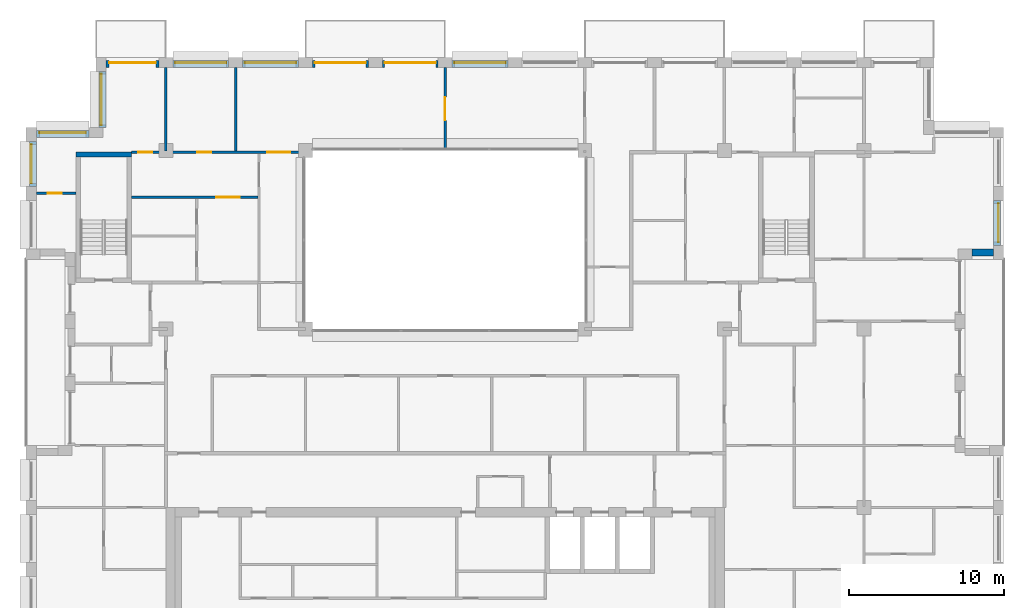
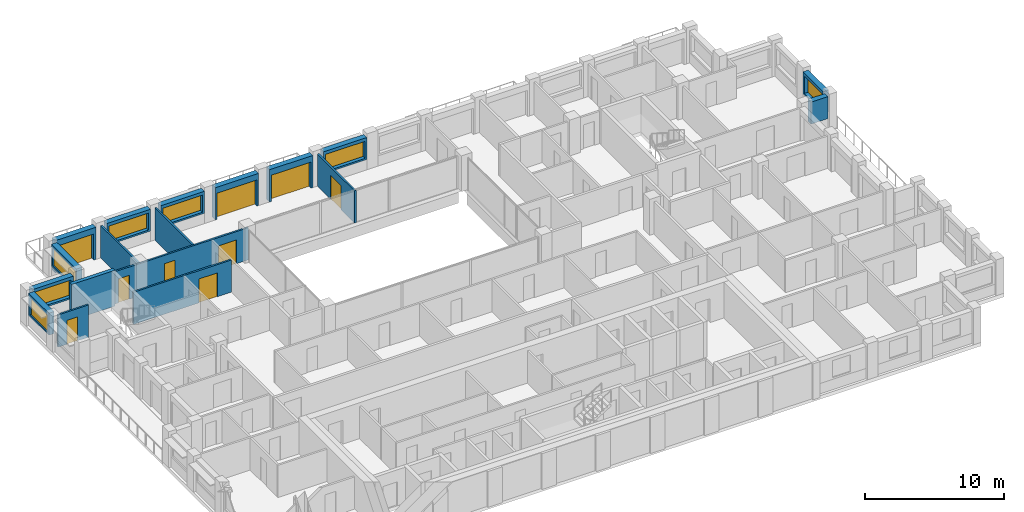
# One storey, part 13 of 16: 18 walls, 9 doors, 7 windows, 16 openings.
"""IFC4 building model written with IfcOpenShell, lengths in metres."""

import ifcopenshell
import ifcopenshell.guid

model = None  # the IFC model being written
_history = None  # IfcOwnerHistory: only IFC2X3 demands one
_inside = {}  # id of a spatial element -> (the spatial element, [elements in it])
_under = {}  # id of a project, library or spatial element -> (it, [spatial elements below it])
_declared = {}  # id of a project -> (the project, [libraries it declares])
_typed = {}  # id of a type object -> (the type object, [elements of that type])
_made_of = {}  # id of a material, layer set ... -> (it, [elements and type objects made of it])


def new_model(schema):
    """Start an empty IFC model of exactly this schema.

    Asked for "IFC4X3", IfcOpenShell would pick the latest addendum, in which some entities
    have other attributes; the version numbers below select the first issue.
    IFC2X3 requires an IfcOwnerHistory on every rooted entity: one is made here for all.
    """
    global model, _history
    if schema == "IFC4X3":
        model = ifcopenshell.file(schema_version=(4, 3, 0, 0))
    else:
        model = ifcopenshell.file(schema=schema)
    _inside.clear()
    _under.clear()
    _declared.clear()
    _typed.clear()
    _made_of.clear()
    _history = None
    if model.schema == "IFC2X3":
        org = make("IfcOrganization", Name="unknown")
        user = make(
            "IfcPersonAndOrganization",
            ThePerson=make("IfcPerson", FamilyName="unknown"),
            TheOrganization=org,
        )
        app = make(
            "IfcApplication",
            ApplicationDeveloper=org,
            Version="unknown",
            ApplicationFullName="unknown",
            ApplicationIdentifier="unknown",
        )
        _history = make(
            "IfcOwnerHistory",
            OwningUser=user,
            OwningApplication=app,
            ChangeAction="ADDED",
            CreationDate=0,
        )
    return model


def make(cls, **values):
    """One entity of the class cls with the attributes given. An attribute that is None is left unset."""
    return model.create_entity(
        cls, **{name: value for name, value in values.items() if value is not None}
    )


def rooted(cls, **values):
    """An entity with a GlobalId (a new one), such as an element, a storey or a relation."""
    return make(cls, GlobalId=ifcopenshell.guid.new(), OwnerHistory=_history, **values)


def si_unit(unit_type, name, prefix=None):
    """IfcSIUnit, for example si_unit("LENGTHUNIT", "METRE", prefix="MILLI")."""
    return make("IfcSIUnit", UnitType=unit_type, Prefix=prefix, Name=name)


def assignment(units):
    """IfcUnitAssignment: the units of a project."""
    return None if units is None else make("IfcUnitAssignment", Units=units)


def point(xyz):
    """IfcCartesianPoint."""
    return None if xyz is None else make("IfcCartesianPoint", Coordinates=xyz)


def direction(xyz):
    """IfcDirection."""
    return None if xyz is None else make("IfcDirection", DirectionRatios=xyz)


def frame(location, z_axis=None, x_axis=None):
    """IfcAxis2Placement3D, a coordinate frame: its origin and axes. An axis left out is left unset."""
    return make(
        "IfcAxis2Placement3D",
        Location=point(location),
        Axis=direction(z_axis),
        RefDirection=direction(x_axis),
    )


def frame_2d(location, x_axis=None):
    """IfcAxis2Placement2D, a coordinate frame in the plane: its origin and x axis."""
    return make(
        "IfcAxis2Placement2D", Location=point(location), RefDirection=direction(x_axis)
    )


def origin():
    """The frame at (0, 0, 0) with its axes left unset."""
    return frame((0.0, 0.0, 0.0))


def place(relative_to, where):
    """IfcLocalPlacement: puts the frame where relative to a parent placement (None: the world)."""
    return make(
        "IfcLocalPlacement", PlacementRelTo=relative_to, RelativePlacement=where
    )


def context(
    kind, dimensions, precision=None, world=None, true_north=None, identifier=None
):
    """IfcGeometricRepresentationContext, for example the 3D "Model" context."""
    return make(
        "IfcGeometricRepresentationContext",
        ContextIdentifier=identifier,
        ContextType=kind,
        CoordinateSpaceDimension=dimensions,
        Precision=precision,
        WorldCoordinateSystem=world,
        TrueNorth=true_north,
    )


def subcontext(parent, identifier, kind, view, scale=None):
    """IfcGeometricRepresentationSubContext, for example "Body" below "Model"."""
    return make(
        "IfcGeometricRepresentationSubContext",
        ContextIdentifier=identifier,
        ContextType=kind,
        ParentContext=parent,
        TargetScale=scale,
        TargetView=view,
    )


def project(units=None, contexts=None):
    """IfcProject with its units and contexts."""
    return rooted(
        "IfcProject",
        Name="project",
        RepresentationContexts=contexts,
        UnitsInContext=assignment(units),
    )


def spatial(cls, under=None, at=None, **own):
    """A site, building, storey or space (cls), placed at a placement, below another one or the project."""
    s = rooted(cls, ObjectPlacement=at, **own)
    if under is not None:
        _under.setdefault(under.id(), (under, []))[1].append(s)
    return s


def profile(cls, at=None, kind="AREA", **sizes):
    """A parametric profile (cls). Its sizes go by their IFC names, for example OverallWidth=200.0."""
    return make(cls, ProfileType=kind, Position=at, **sizes)


def rectangle(**sizes):
    """IfcRectangleProfileDef."""
    return profile("IfcRectangleProfileDef", **sizes)


def extrude(swept, where, along, depth):
    """IfcExtrudedAreaSolid: the profile swept, set in the frame where, extruded along a direction by depth."""
    return make(
        "IfcExtrudedAreaSolid",
        SweptArea=swept,
        Position=where,
        ExtrudedDirection=direction(along),
        Depth=depth,
    )


def shape(context_of_items, identifier, shape_type, items):
    """IfcShapeRepresentation: the items that make up one representation, for example the "Body"."""
    return make(
        "IfcShapeRepresentation",
        ContextOfItems=context_of_items,
        RepresentationIdentifier=identifier,
        RepresentationType=shape_type,
        Items=items,
    )


def material(Name=None, Category=None):
    """IfcMaterial."""
    return make("IfcMaterial", Name=Name, Category=Category)


def layer(
    of_material, thickness, ventilated=None, Name=None, Category=None, Priority=None
):
    """IfcMaterialLayer: one layer of a wall or slab, of a material (None: an air gap)."""
    return make(
        "IfcMaterialLayer",
        Material=of_material,
        LayerThickness=thickness,
        IsVentilated=ventilated,
        Name=Name,
        Category=Category,
        Priority=Priority,
    )


def layer_set(layers, Name=None):
    """IfcMaterialLayerSet."""
    return make("IfcMaterialLayerSet", MaterialLayers=layers, LayerSetName=Name)


def made_of(thing, what):
    """Note that an element or type object is made of a material, layer set ...; save() writes the relation."""
    if what is not None:
        _made_of.setdefault(what.id(), (what, []))[1].append(thing)
    return thing


def type_object(cls, material=None, **own):
    """A type object (cls), such as IfcWallType, which elements share."""
    return made_of(rooted(cls, **own), material)


def element(
    cls,
    number,
    at=None,
    inside=None,
    cuts=None,
    type_object=None,
    material=None,
    context=None,
    identifier="Body",
    shape_type=None,
    held_by="IfcProductDefinitionShape",
    body=None,
    shapes=None,
    **own,
):
    """One element of the class cls, such as IfcWall. Its Tag is "e" and its number.

    at: its placement. inside: the storey or other place that contains it. cuts: it is an
    opening in that element (IfcRelVoidsElement). A single representation is given by context,
    identifier, shape_type and body (its items); several are given by shapes. held_by: the class
    of the entity that holds the representations. save() writes the other relations.
    """
    e = rooted(cls, Tag="e%d" % number, ObjectPlacement=at, **own)
    if body is not None:
        shapes = [shape(context, identifier, shape_type, body)]
    if shapes is not None:
        e.Representation = make(held_by, Representations=shapes)
    if inside is not None:
        _inside.setdefault(inside.id(), (inside, []))[1].append(e)
    if cuts is not None:
        rooted(
            "IfcRelVoidsElement", RelatingBuildingElement=cuts, RelatedOpeningElement=e
        )
    if type_object is not None:
        _typed.setdefault(type_object.id(), (type_object, []))[1].append(e)
    return made_of(e, material)


def fill(opening, filler):
    """IfcRelFillsElement: the door or window that sits in an opening."""
    return rooted(
        "IfcRelFillsElement",
        RelatingOpeningElement=opening,
        RelatedBuildingElement=filler,
    )


def aggregate(whole, parts):
    """IfcRelAggregates: a whole, such as a stair, and the parts it consists of."""
    return rooted("IfcRelAggregates", RelatingObject=whole, RelatedObjects=parts)


def save(model, path):
    """Write the relations noted so far, then the file.

    IfcRelAggregates (storeys below a building ...), IfcRelContainedInSpatialStructure (elements
    in a storey), IfcRelDefinesByType, IfcRelAssociatesMaterial and IfcRelDeclares: one each for
    every whole, place, type object, material and project.
    """
    for whole, parts in _under.values():
        aggregate(whole, parts)
    for where, things in _inside.values():
        rooted(
            "IfcRelContainedInSpatialStructure",
            RelatedElements=things,
            RelatingStructure=where,
        )
    for kind, things in _typed.values():
        rooted("IfcRelDefinesByType", RelatedObjects=things, RelatingType=kind)
    for what, things in _made_of.values():
        rooted("IfcRelAssociatesMaterial", RelatedObjects=things, RelatingMaterial=what)
    for by, libraries in _declared.values():
        rooted("IfcRelDeclares", RelatingContext=by, RelatedDefinitions=libraries)
    model.write(path)


model = new_model("IFC4")

# Units and contexts
model_context = context("Model", 3, precision=1e-05, world=origin(), true_north=direction((0.0, 1.0)))
body_context = subcontext(model_context, "Body", "Model", "MODEL_VIEW")
ifc_project = project(units=[si_unit("LENGTHUNIT", "METRE"), si_unit("AREAUNIT", "SQUARE_METRE"), si_unit("VOLUMEUNIT", "CUBIC_METRE"), si_unit("PLANEANGLEUNIT", "RADIAN"), si_unit("MASSUNIT", "GRAM", prefix="KILO")], contexts=[model_context])

# Site, building, storey
site_placement = place(None, origin())
site = spatial("IfcSite", under=ifc_project, at=site_placement, CompositionType="ELEMENT")
building_placement = place(site_placement, origin())
building = spatial("IfcBuilding", under=site, at=building_placement, Name="Brigalow Station Residences", CompositionType="ELEMENT")
storey_placement = place(building_placement, frame((0.0, 0.0, 204.300048828125)))
storey = spatial("IfcBuildingStorey", under=building, at=storey_placement, Name="L58", CompositionType="ELEMENT", Elevation=204.300048828125)

# Wall
ifc_material_1 = material(Name="Clay brick masonry", Category="masonry")
ifc_layer_1 = layer(ifc_material_1, 0.449951171875)
ifc_layer_set_1 = layer_set([ifc_layer_1], Name="BRICK INFILL WALL 450")
wall_type_1 = type_object("IfcWallType", Name="BRICK INFILL WALL 450", PredefinedType="SOLIDWALL", material=ifc_layer_set_1)
wall_1_placement = place(storey_placement, frame((69.949951171875, 28.925048828125, 0.89990234375), z_axis=(0.0, 0.0, 1.0), x_axis=(1.0, 0.0, 0.0)))
element("IfcWall", 1, at=wall_1_placement, inside=storey, type_object=wall_type_1, Name="L58/ewall/W-L58-15", PredefinedType="SOLIDWALL", context=body_context, shape_type="SweptSolid", body=[
    extrude(rectangle(XDim=1.400146484375, YDim=0.449951171875, at=frame_2d((0.7001953125, 0.0))), origin(), (0.0, 0.0, 1.0), 1.929931640625),
])

# Wall, opening, window
wall_2_placement = place(storey_placement, frame((71.574951171875, 29.39990234375, 0.89990234375), z_axis=(0.0, 0.0, 1.0), x_axis=(0.0, 1.0, 0.0)))
wall_2 = element("IfcWall", 2, at=wall_2_placement, inside=storey, type_object=wall_type_1, Name="L58/ewall/W-L58-16", PredefinedType="SOLIDWALL", context=body_context, shape_type="SweptSolid", body=[
    extrude(rectangle(XDim=2.900146484375, YDim=0.449951171875, at=frame_2d((1.4501953125, 0.0))), origin(), (0.0, 0.0, 1.0), 1.929931640625),
])
opening_1_placement = place(wall_2_placement, frame((0.199951171875, 0.0, 0.14990234375)))
opening_1 = element("IfcOpeningElement", 3, at=opening_1_placement, cuts=wall_2, Name="Opening WT-5", PredefinedType="OPENING", context=body_context, shape_type="SweptSolid", body=[
    extrude(rectangle(XDim=2.5, YDim=1.5, at=frame_2d((1.25, 0.75))), frame((0.0, 0.23486328125, 0.0), z_axis=(0.0, -1.0, 0.0), x_axis=(1.0, 0.0, 0.0)), (0.0, 0.0, 1.0), 0.469970703125),
])
ifc_material_2 = material(Name="Anodised aluminium frame with double glazing", Category="aluminium")
window_type_1 = type_object("IfcWindowType", Name="WINDOW 2500x1500", PartitioningType="SINGLE_PANEL", PredefinedType="WINDOW", material=ifc_material_2)
window_1_placement = place(opening_1_placement, origin())
window_1 = element("IfcWindow", 4, at=window_1_placement, inside=storey, type_object=window_type_1, Name="L58/window/W-L58-16", OverallHeight=1.5, OverallWidth=2.5, PartitioningType="SINGLE_PANEL", PredefinedType="WINDOW", context=body_context, shape_type="SweptSolid", body=[
    extrude(rectangle(XDim=2.5, YDim=1.5, at=frame_2d((1.25, 0.75))), frame((0.0, -0.06494140625, 0.0), z_axis=(0.0, -1.0, 0.0), x_axis=(1.0, 0.0, 0.0)), (0.0, 0.0, 1.0), 0.06005859375),
])
fill(opening_1, window_1)

wall_3_placement = place(storey_placement, frame((40.050048828125, 41.074951171875, 0.89990234375), z_axis=(0.0, 0.0, 1.0), x_axis=(-1.0, 0.0, 0.0)))
wall_3 = element("IfcWall", 5, at=wall_3_placement, inside=storey, type_object=wall_type_1, Name="L58/ewall/W-L58-26", PredefinedType="SOLIDWALL", context=body_context, shape_type="SweptSolid", body=[
    extrude(rectangle(XDim=3.60009765625, YDim=0.449951171875, at=frame_2d((1.800048828125, 0.0))), origin(), (0.0, 0.0, 1.0), 1.929931640625),
])
opening_2_placement = place(wall_3_placement, frame((0.14990234375, 0.0, 0.14990234375)))
opening_2 = element("IfcOpeningElement", 6, at=opening_2_placement, cuts=wall_3, Name="Opening WT-10", PredefinedType="OPENING", context=body_context, shape_type="SweptSolid", body=[
    extrude(rectangle(XDim=3.300048828125, YDim=1.5, at=frame_2d((1.64990234375, 0.75))), frame((0.0, 0.23486328125, 0.0), z_axis=(0.0, -1.0, 0.0), x_axis=(1.0, 0.0, 0.0)), (0.0, 0.0, 1.0), 0.469970703125),
])
ifc_material_3 = material(Name="Anodised aluminium frame with double glazing", Category="aluminium")
window_type_2 = type_object("IfcWindowType", Name="WINDOW 3300x1500", PartitioningType="SINGLE_PANEL", PredefinedType="WINDOW", material=ifc_material_3)
window_2_placement = place(opening_2_placement, origin())
window_2 = element("IfcWindow", 7, at=window_2_placement, inside=storey, type_object=window_type_2, Name="L58/window/W-L58-26", OverallHeight=1.5, OverallWidth=3.300048828125, PartitioningType="SINGLE_PANEL", PredefinedType="WINDOW", context=body_context, shape_type="SweptSolid", body=[
    extrude(rectangle(XDim=3.300048828125, YDim=1.5, at=frame_2d((1.64990234375, 0.75))), frame((0.0, -0.06494140625, 0.0), z_axis=(0.0, -1.0, 0.0), x_axis=(1.0, 0.0, 0.0)), (0.0, 0.0, 1.0), 0.06005859375),
])
fill(opening_2, window_2)

# Wall, opening, door
wall_4_placement = place(storey_placement, frame((35.550048828125, 41.074951171875, 0.0), z_axis=(0.0, 0.0, 1.0), x_axis=(-1.0, 0.0, 0.0)))
wall_4 = element("IfcWall", 8, at=wall_4_placement, inside=storey, type_object=wall_type_1, Name="L58/ewall/W-L58-27", PredefinedType="SOLIDWALL", context=body_context, shape_type="SweptSolid", body=[
    extrude(rectangle(XDim=3.60009765625, YDim=0.449951171875, at=frame_2d((1.800048828125, 0.0))), origin(), (0.0, 0.0, 1.0), 2.829833984375),
])
opening_3_placement = place(wall_4_placement, frame((0.14990234375, 0.0, 0.0)))
opening_3 = element("IfcOpeningElement", 9, at=opening_3_placement, cuts=wall_4, Name="Opening D-B3300", PredefinedType="OPENING", context=body_context, shape_type="SweptSolid", body=[
    extrude(rectangle(XDim=3.300048828125, YDim=2.300048828125, at=frame_2d((1.64990234375, 1.14990234375))), frame((0.0, 0.23486328125, 0.0), z_axis=(0.0, -1.0, 0.0), x_axis=(1.0, 0.0, 0.0)), (0.0, 0.0, 1.0), 0.469970703125),
])
ifc_material_4 = material(Name="Anodised aluminium frame with double glazing", Category="aluminium")
door_type_1 = type_object("IfcDoorType", Name="BALCONY SLIDING DOOR 3300x2300", OperationType="SLIDING_TO_LEFT", PredefinedType="DOOR", material=ifc_material_4)
door_1_placement = place(opening_3_placement, origin())
door_1 = element("IfcDoor", 10, at=door_1_placement, inside=storey, type_object=door_type_1, Name="L58/balcony-door/W-L58-27", OperationType="SLIDING_TO_LEFT", OverallHeight=2.300048828125, OverallWidth=3.300048828125, PredefinedType="DOOR", context=body_context, shape_type="SweptSolid", body=[
    extrude(rectangle(XDim=3.300048828125, YDim=2.300048828125, at=frame_2d((1.64990234375, 1.14990234375))), frame((0.0, -0.06982421875, 0.0), z_axis=(0.0, -1.0, 0.0), x_axis=(1.0, 0.0, 0.0)), (0.0, 0.0, 1.0), 0.050048828125),
])
fill(opening_3, door_1)

wall_5_placement = place(storey_placement, frame((31.050048828125, 41.074951171875, 0.0), z_axis=(0.0, 0.0, 1.0), x_axis=(-1.0, 0.0, 0.0)))
wall_5 = element("IfcWall", 11, at=wall_5_placement, inside=storey, type_object=wall_type_1, Name="L58/ewall/W-L58-28", PredefinedType="SOLIDWALL", context=body_context, shape_type="SweptSolid", body=[
    extrude(rectangle(XDim=3.60009765625, YDim=0.449951171875, at=frame_2d((1.800048828125, 0.0))), origin(), (0.0, 0.0, 1.0), 2.829833984375),
])
opening_4_placement = place(wall_5_placement, frame((0.14990234375, 0.0, 0.0)))
opening_4 = element("IfcOpeningElement", 12, at=opening_4_placement, cuts=wall_5, Name="Opening D-B3300", PredefinedType="OPENING", context=body_context, shape_type="SweptSolid", body=[
    extrude(rectangle(XDim=3.300048828125, YDim=2.300048828125, at=frame_2d((1.64990234375, 1.14990234375))), frame((0.0, 0.23486328125, 0.0), z_axis=(0.0, -1.0, 0.0), x_axis=(1.0, 0.0, 0.0)), (0.0, 0.0, 1.0), 0.469970703125),
])
door_2_placement = place(opening_4_placement, origin())
door_2 = element("IfcDoor", 13, at=door_2_placement, inside=storey, type_object=door_type_1, Name="L58/balcony-door/W-L58-28", OperationType="SLIDING_TO_LEFT", OverallHeight=2.300048828125, OverallWidth=3.300048828125, PredefinedType="DOOR", context=body_context, shape_type="SweptSolid", body=[
    extrude(rectangle(XDim=3.300048828125, YDim=2.300048828125, at=frame_2d((1.64990234375, 1.14990234375))), frame((0.0, -0.06982421875, 0.0), z_axis=(0.0, -1.0, 0.0), x_axis=(1.0, 0.0, 0.0)), (0.0, 0.0, 1.0), 0.050048828125),
])
fill(opening_4, door_2)

# Wall, opening, window
wall_6_placement = place(storey_placement, frame((26.550048828125, 41.074951171875, 0.89990234375), z_axis=(0.0, 0.0, 1.0), x_axis=(-1.0, 0.0, 0.0)))
wall_6 = element("IfcWall", 14, at=wall_6_placement, inside=storey, type_object=wall_type_1, Name="L58/ewall/W-L58-29", PredefinedType="SOLIDWALL", context=body_context, shape_type="SweptSolid", body=[
    extrude(rectangle(XDim=3.60009765625, YDim=0.449951171875, at=frame_2d((1.800048828125, 0.0))), origin(), (0.0, 0.0, 1.0), 1.929931640625),
])
opening_5_placement = place(wall_6_placement, frame((0.14990234375, 0.0, 0.14990234375)))
opening_5 = element("IfcOpeningElement", 15, at=opening_5_placement, cuts=wall_6, Name="Opening WT-10", PredefinedType="OPENING", context=body_context, shape_type="SweptSolid", body=[
    extrude(rectangle(XDim=3.300048828125, YDim=1.5, at=frame_2d((1.64990234375, 0.75))), frame((0.0, 0.23486328125, 0.0), z_axis=(0.0, -1.0, 0.0), x_axis=(1.0, 0.0, 0.0)), (0.0, 0.0, 1.0), 0.469970703125),
])
window_3_placement = place(opening_5_placement, origin())
window_3 = element("IfcWindow", 16, at=window_3_placement, inside=storey, type_object=window_type_2, Name="L58/window/W-L58-29", OverallHeight=1.5, OverallWidth=3.300048828125, PartitioningType="SINGLE_PANEL", PredefinedType="WINDOW", context=body_context, shape_type="SweptSolid", body=[
    extrude(rectangle(XDim=3.300048828125, YDim=1.5, at=frame_2d((1.64990234375, 0.75))), frame((0.0, -0.06494140625, 0.0), z_axis=(0.0, -1.0, 0.0), x_axis=(1.0, 0.0, 0.0)), (0.0, 0.0, 1.0), 0.06005859375),
])
fill(opening_5, window_3)

wall_7_placement = place(storey_placement, frame((22.050048828125, 41.074951171875, 0.89990234375), z_axis=(0.0, 0.0, 1.0), x_axis=(-1.0, 0.0, 0.0)))
wall_7 = element("IfcWall", 17, at=wall_7_placement, inside=storey, type_object=wall_type_1, Name="L58/ewall/W-L58-30", PredefinedType="SOLIDWALL", context=body_context, shape_type="SweptSolid", body=[
    extrude(rectangle(XDim=3.60009765625, YDim=0.449951171875, at=frame_2d((1.800048828125, 0.0))), origin(), (0.0, 0.0, 1.0), 1.929931640625),
])
opening_6_placement = place(wall_7_placement, frame((0.14990234375, 0.0, 0.14990234375)))
opening_6 = element("IfcOpeningElement", 18, at=opening_6_placement, cuts=wall_7, Name="Opening WT-10", PredefinedType="OPENING", context=body_context, shape_type="SweptSolid", body=[
    extrude(rectangle(XDim=3.300048828125, YDim=1.5, at=frame_2d((1.64990234375, 0.75))), frame((0.0, 0.23486328125, 0.0), z_axis=(0.0, -1.0, 0.0), x_axis=(1.0, 0.0, 0.0)), (0.0, 0.0, 1.0), 0.469970703125),
])
window_4_placement = place(opening_6_placement, origin())
window_4 = element("IfcWindow", 19, at=window_4_placement, inside=storey, type_object=window_type_2, Name="L58/window/W-L58-30", OverallHeight=1.5, OverallWidth=3.300048828125, PartitioningType="SINGLE_PANEL", PredefinedType="WINDOW", context=body_context, shape_type="SweptSolid", body=[
    extrude(rectangle(XDim=3.300048828125, YDim=1.5, at=frame_2d((1.64990234375, 0.75))), frame((0.0, -0.06494140625, 0.0), z_axis=(0.0, -1.0, 0.0), x_axis=(1.0, 0.0, 0.0)), (0.0, 0.0, 1.0), 0.06005859375),
])
fill(opening_6, window_4)

# Wall, opening, door
wall_8_placement = place(storey_placement, frame((17.550048828125, 41.074951171875, 0.0), z_axis=(0.0, 0.0, 1.0), x_axis=(-1.0, 0.0, 0.0)))
wall_8 = element("IfcWall", 20, at=wall_8_placement, inside=storey, type_object=wall_type_1, Name="L58/ewall/W-L58-31", PredefinedType="SOLIDWALL", context=body_context, shape_type="SweptSolid", body=[
    extrude(rectangle(XDim=3.400146484375, YDim=0.449951171875, at=frame_2d((1.7001953125, 0.0))), origin(), (0.0, 0.0, 1.0), 2.829833984375),
])
opening_7_placement = place(wall_8_placement, frame((0.199951171875, 0.0, 0.0)))
opening_7 = element("IfcOpeningElement", 21, at=opening_7_placement, cuts=wall_8, Name="Opening D-B3000", PredefinedType="OPENING", context=body_context, shape_type="SweptSolid", body=[
    extrude(rectangle(XDim=3.0, YDim=2.300048828125, at=frame_2d((1.5, 1.14990234375))), frame((0.0, 0.23486328125, 0.0), z_axis=(0.0, -1.0, 0.0), x_axis=(1.0, 0.0, 0.0)), (0.0, 0.0, 1.0), 0.469970703125),
])
ifc_material_5 = material(Name="Anodised aluminium frame with double glazing", Category="aluminium")
door_type_2 = type_object("IfcDoorType", Name="BALCONY SLIDING DOOR 3000x2300", OperationType="SLIDING_TO_LEFT", PredefinedType="DOOR", material=ifc_material_5)
door_3_placement = place(opening_7_placement, origin())
door_3 = element("IfcDoor", 22, at=door_3_placement, inside=storey, type_object=door_type_2, Name="L58/balcony-door/W-L58-31", OperationType="SLIDING_TO_LEFT", OverallHeight=2.300048828125, OverallWidth=3.0, PredefinedType="DOOR", context=body_context, shape_type="SweptSolid", body=[
    extrude(rectangle(XDim=3.0, YDim=2.300048828125, at=frame_2d((1.5, 1.14990234375))), frame((0.0, -0.06982421875, 0.0), z_axis=(0.0, -1.0, 0.0), x_axis=(1.0, 0.0, 0.0)), (0.0, 0.0, 1.0), 0.050048828125),
])
fill(opening_7, door_3)

# Wall, opening, window
wall_9_placement = place(storey_placement, frame((13.925048828125, 40.60009765625, 0.89990234375), z_axis=(0.0, 0.0, 1.0), x_axis=(0.0, -1.0, 0.0)))
wall_9 = element("IfcWall", 23, at=wall_9_placement, inside=storey, type_object=wall_type_1, Name="L58/ewall/W-L58-32", PredefinedType="SOLIDWALL", context=body_context, shape_type="SweptSolid", body=[
    extrude(rectangle(XDim=3.60009765625, YDim=0.449951171875, at=frame_2d((1.800048828125, 0.0))), origin(), (0.0, 0.0, 1.0), 1.929931640625),
])
opening_8_placement = place(wall_9_placement, frame((0.14990234375, 0.0, 0.14990234375)))
opening_8 = element("IfcOpeningElement", 24, at=opening_8_placement, cuts=wall_9, Name="Opening WT-10", PredefinedType="OPENING", context=body_context, shape_type="SweptSolid", body=[
    extrude(rectangle(XDim=3.300048828125, YDim=1.5, at=frame_2d((1.64990234375, 0.75))), frame((0.0, 0.23486328125, 0.0), z_axis=(0.0, -1.0, 0.0), x_axis=(1.0, 0.0, 0.0)), (0.0, 0.0, 1.0), 0.469970703125),
])
window_5_placement = place(opening_8_placement, origin())
window_5 = element("IfcWindow", 25, at=window_5_placement, inside=storey, type_object=window_type_2, Name="L58/window/W-L58-32", OverallHeight=1.5, OverallWidth=3.300048828125, PartitioningType="SINGLE_PANEL", PredefinedType="WINDOW", context=body_context, shape_type="SweptSolid", body=[
    extrude(rectangle(XDim=3.300048828125, YDim=1.5, at=frame_2d((1.64990234375, 0.75))), frame((0.0, -0.06494140625, 0.0), z_axis=(0.0, -1.0, 0.0), x_axis=(1.0, 0.0, 0.0)), (0.0, 0.0, 1.0), 0.06005859375),
])
fill(opening_8, window_5)

wall_10_placement = place(storey_placement, frame((13.050048828125, 36.574951171875, 0.89990234375), z_axis=(0.0, 0.0, 1.0), x_axis=(-1.0, 0.0, 0.0)))
wall_10 = element("IfcWall", 26, at=wall_10_placement, inside=storey, type_object=wall_type_1, Name="L58/ewall/W-L58-33", PredefinedType="SOLIDWALL", context=body_context, shape_type="SweptSolid", body=[
    extrude(rectangle(XDim=3.400146484375, YDim=0.449951171875, at=frame_2d((1.7001953125, 0.0))), origin(), (0.0, 0.0, 1.0), 1.929931640625),
])
opening_9_placement = place(wall_10_placement, frame((0.199951171875, 0.0, 0.14990234375)))
opening_9 = element("IfcOpeningElement", 27, at=opening_9_placement, cuts=wall_10, Name="Opening WT-2", PredefinedType="OPENING", context=body_context, shape_type="SweptSolid", body=[
    extrude(rectangle(XDim=3.0, YDim=1.5, at=frame_2d((1.5, 0.75))), frame((0.0, 0.23486328125, 0.0), z_axis=(0.0, -1.0, 0.0), x_axis=(1.0, 0.0, 0.0)), (0.0, 0.0, 1.0), 0.469970703125),
])
ifc_material_6 = material(Name="Anodised aluminium frame with double glazing", Category="aluminium")
window_type_3 = type_object("IfcWindowType", Name="WINDOW 3000x1500", PartitioningType="SINGLE_PANEL", PredefinedType="WINDOW", material=ifc_material_6)
window_6_placement = place(opening_9_placement, origin())
window_6 = element("IfcWindow", 28, at=window_6_placement, inside=storey, type_object=window_type_3, Name="L58/window/W-L58-33", OverallHeight=1.5, OverallWidth=3.0, PartitioningType="SINGLE_PANEL", PredefinedType="WINDOW", context=body_context, shape_type="SweptSolid", body=[
    extrude(rectangle(XDim=3.0, YDim=1.5, at=frame_2d((1.5, 0.75))), frame((0.0, -0.06494140625, 0.0), z_axis=(0.0, -1.0, 0.0), x_axis=(1.0, 0.0, 0.0)), (0.0, 0.0, 1.0), 0.06005859375),
])
fill(opening_9, window_6)

wall_11_placement = place(storey_placement, frame((9.425048828125, 36.10009765625, 0.89990234375), z_axis=(0.0, 0.0, 1.0), x_axis=(0.0, -1.0, 0.0)))
wall_11 = element("IfcWall", 29, at=wall_11_placement, inside=storey, type_object=wall_type_1, Name="L58/ewall/W-L58-34", PredefinedType="SOLIDWALL", context=body_context, shape_type="SweptSolid", body=[
    extrude(rectangle(XDim=2.900146484375, YDim=0.449951171875, at=frame_2d((1.4501953125, 0.0))), origin(), (0.0, 0.0, 1.0), 1.929931640625),
])
opening_10_placement = place(wall_11_placement, frame((0.199951171875, 0.0, 0.14990234375)))
opening_10 = element("IfcOpeningElement", 30, at=opening_10_placement, cuts=wall_11, Name="Opening WT-5", PredefinedType="OPENING", context=body_context, shape_type="SweptSolid", body=[
    extrude(rectangle(XDim=2.5, YDim=1.5, at=frame_2d((1.25, 0.75))), frame((0.0, 0.23486328125, 0.0), z_axis=(0.0, -1.0, 0.0), x_axis=(1.0, 0.0, 0.0)), (0.0, 0.0, 1.0), 0.469970703125),
])
window_7_placement = place(opening_10_placement, origin())
window_7 = element("IfcWindow", 31, at=window_7_placement, inside=storey, type_object=window_type_1, Name="L58/window/W-L58-34", OverallHeight=1.5, OverallWidth=2.5, PartitioningType="SINGLE_PANEL", PredefinedType="WINDOW", context=body_context, shape_type="SweptSolid", body=[
    extrude(rectangle(XDim=2.5, YDim=1.5, at=frame_2d((1.25, 0.75))), frame((0.0, -0.06494140625, 0.0), z_axis=(0.0, -1.0, 0.0), x_axis=(1.0, 0.0, 0.0)), (0.0, 0.0, 1.0), 0.06005859375),
])
fill(opening_10, window_7)

# Wall
ifc_material_7 = material(Name="Concrete C50", Category="concrete")
ifc_layer_2 = layer(ifc_material_7, 0.300048828125)
ifc_layer_set_2 = layer_set([ifc_layer_2], Name="CORE SHEAR WALL 300 C50")
wall_type_2 = type_object("IfcWallType", Name="CORE SHEAR WALL 300 C50", PredefinedType="SHEAR", material=ifc_layer_set_2)
wall_12_placement = place(storey_placement, frame((12.199951171875, 35.25, 0.0), z_axis=(0.0, 0.0, 1.0), x_axis=(1.0, 0.0, 0.0)))
element("IfcWall", 32, at=wall_12_placement, inside=storey, type_object=wall_type_2, Name="CORE WALL ST-S1-N L58", PredefinedType="SHEAR", context=body_context, shape_type="SweptSolid", body=[
    extrude(rectangle(XDim=3.60009765625, YDim=0.300048828125, at=frame_2d((1.800048828125, 0.0))), origin(), (0.0, 0.0, 1.0), 3.14990234375),
])

# Wall, opening, door
ifc_material_8 = material(Name="Plasterboard on steel stud partition", Category="steel")
ifc_layer_3 = layer(ifc_material_8, 0.14990234375)
ifc_layer_set_3 = layer_set([ifc_layer_3], Name="FLAT PARTITION 150")
wall_type_3 = type_object("IfcWallType", Name="FLAT PARTITION 150", PredefinedType="PARTITIONING", material=ifc_layer_set_3)
wall_13_placement = place(storey_placement, frame((15.800048828125, 32.5, 0.0), z_axis=(0.0, 0.0, 1.0), x_axis=(1.0, 0.0, 0.0)))
wall_13 = element("IfcWall", 33, at=wall_13_placement, inside=storey, type_object=wall_type_3, Name="PW-4A18", PredefinedType="PARTITIONING", context=body_context, shape_type="SweptSolid", body=[
    extrude(rectangle(XDim=8.125, YDim=0.14990234375, at=frame_2d((4.0625, 0.0))), origin(), (0.0, 0.0, 1.0), 2.829833984375),
])
opening_11_placement = place(wall_13_placement, frame((5.449951171875, 0.0, 0.0)))
opening_11 = element("IfcOpeningElement", 34, at=opening_11_placement, cuts=wall_13, Name="Opening D-4A14", PredefinedType="OPENING", context=body_context, shape_type="SweptSolid", body=[
    extrude(rectangle(XDim=1.5, YDim=2.10009765625, at=frame_2d((0.75, 1.050048828125))), frame((0.0, 0.0849609375, 0.0), z_axis=(0.0, -1.0, 0.0), x_axis=(1.0, 0.0, 0.0)), (0.0, 0.0, 1.0), 0.169921875),
])
ifc_material_9 = material(Name="Solid-core timber door leaf", Category="wood")
door_type_3 = type_object("IfcDoorType", Name="INTERNAL DOUBLE DOOR 1500 x 2100", OperationType="DOUBLE_DOOR_SINGLE_SWING", PredefinedType="DOOR", material=ifc_material_9)
door_4_placement = place(opening_11_placement, frame((1.5, 0.0, 0.0), z_axis=(0.0, 0.0, 1.0), x_axis=(-1.0, 0.0, 0.0)))
door_4 = element("IfcDoor", 35, at=door_4_placement, inside=storey, type_object=door_type_3, Name="D-4A14", OperationType="DOUBLE_DOOR_SINGLE_SWING", OverallHeight=2.10009765625, OverallWidth=1.5, PredefinedType="DOOR", context=body_context, shape_type="SweptSolid", body=[
    extrude(rectangle(XDim=1.5, YDim=2.10009765625, at=frame_2d((0.75, 1.050048828125))), frame((0.0, 0.02490234375, 0.0), z_axis=(0.0, -1.0, 0.0), x_axis=(1.0, 0.0, 0.0)), (0.0, 0.0, 1.0), 0.050048828125),
])
fill(opening_11, door_4)

# Wall, openings, doors
wall_14_placement = place(storey_placement, frame((15.800048828125, 35.39990234375, 0.0), z_axis=(0.0, 0.0, 1.0), x_axis=(1.0, 0.0, 0.0)))
wall_14 = element("IfcWall", 36, at=wall_14_placement, inside=storey, type_object=wall_type_3, Name="PW-4A20", PredefinedType="PARTITIONING", context=body_context, shape_type="SweptSolid", body=[
    extrude(rectangle(XDim=11.199951171875, YDim=0.14990234375, at=frame_2d((5.60009765625, 0.0))), origin(), (0.0, 0.0, 1.0), 2.829833984375),
])
opening_12_placement = place(wall_14_placement, frame((0.425048828125, 0.0, 0.0)))
opening_12 = element("IfcOpeningElement", 37, at=opening_12_placement, cuts=wall_14, Name="Opening D-4A17", PredefinedType="OPENING", context=body_context, shape_type="SweptSolid", body=[
    extrude(rectangle(XDim=0.89990234375, YDim=2.10009765625, at=frame_2d((0.449951171875, 1.050048828125))), frame((0.0, 0.0849609375, 0.0), z_axis=(0.0, -1.0, 0.0), x_axis=(1.0, 0.0, 0.0)), (0.0, 0.0, 1.0), 0.169921875),
])
opening_13_placement = place(wall_14_placement, frame((4.22509765625, 0.0, 0.0)))
opening_13 = element("IfcOpeningElement", 38, at=opening_13_placement, cuts=wall_14, Name="Opening D-4A19", PredefinedType="OPENING", context=body_context, shape_type="SweptSolid", body=[
    extrude(rectangle(XDim=0.89990234375, YDim=2.10009765625, at=frame_2d((0.449951171875, 1.050048828125))), frame((0.0, 0.0849609375, 0.0), z_axis=(0.0, -1.0, 0.0), x_axis=(1.0, 0.0, 0.0)), (0.0, 0.0, 1.0), 0.169921875),
])
opening_14_placement = place(wall_14_placement, frame((8.72509765625, 0.0, 0.0)))
opening_14 = element("IfcOpeningElement", 39, at=opening_14_placement, cuts=wall_14, Name="Opening D-4A20", PredefinedType="OPENING", context=body_context, shape_type="SweptSolid", body=[
    extrude(rectangle(XDim=1.5, YDim=2.10009765625, at=frame_2d((0.75, 1.050048828125))), frame((0.0, 0.0849609375, 0.0), z_axis=(0.0, -1.0, 0.0), x_axis=(1.0, 0.0, 0.0)), (0.0, 0.0, 1.0), 0.169921875),
])
ifc_material_10 = material(Name="Solid-core timber door leaf", Category="wood")
door_type_4 = type_object("IfcDoorType", Name="INTERNAL DOOR 900 x 2100", OperationType="SINGLE_SWING_LEFT", PredefinedType="DOOR", material=ifc_material_10)
door_5_placement = place(opening_12_placement, origin())
door_5 = element("IfcDoor", 40, at=door_5_placement, inside=storey, type_object=door_type_4, Name="D-4A17", OperationType="SINGLE_SWING_RIGHT", OverallHeight=2.10009765625, OverallWidth=0.89990234375, PredefinedType="DOOR", context=body_context, shape_type="SweptSolid", body=[
    extrude(rectangle(XDim=0.89990234375, YDim=2.10009765625, at=frame_2d((0.449951171875, 1.050048828125))), frame((0.0, 0.02490234375, 0.0), z_axis=(0.0, -1.0, 0.0), x_axis=(1.0, 0.0, 0.0)), (0.0, 0.0, 1.0), 0.050048828125),
])
fill(opening_12, door_5)
door_6_placement = place(opening_13_placement, origin())
door_6 = element("IfcDoor", 41, at=door_6_placement, inside=storey, type_object=door_type_4, Name="D-4A19", OperationType="SINGLE_SWING_RIGHT", OverallHeight=2.10009765625, OverallWidth=0.89990234375, PredefinedType="DOOR", context=body_context, shape_type="SweptSolid", body=[
    extrude(rectangle(XDim=0.89990234375, YDim=2.10009765625, at=frame_2d((0.449951171875, 1.050048828125))), frame((0.0, 0.02490234375, 0.0), z_axis=(0.0, -1.0, 0.0), x_axis=(1.0, 0.0, 0.0)), (0.0, 0.0, 1.0), 0.050048828125),
])
fill(opening_13, door_6)
door_7_placement = place(opening_14_placement, origin())
door_7 = element("IfcDoor", 42, at=door_7_placement, inside=storey, type_object=door_type_3, Name="D-4A20", OperationType="DOUBLE_DOOR_SINGLE_SWING", OverallHeight=2.10009765625, OverallWidth=1.5, PredefinedType="DOOR", context=body_context, shape_type="SweptSolid", body=[
    extrude(rectangle(XDim=1.5, YDim=2.10009765625, at=frame_2d((0.75, 1.050048828125))), frame((0.0, 0.02490234375, 0.0), z_axis=(0.0, -1.0, 0.0), x_axis=(1.0, 0.0, 0.0)), (0.0, 0.0, 1.0), 0.050048828125),
])
fill(opening_14, door_7)

# Wall, opening, door
wall_15_placement = place(storey_placement, frame((9.64990234375, 32.75, 0.0), z_axis=(0.0, 0.0, 1.0), x_axis=(1.0, 0.0, 0.0)))
wall_15 = element("IfcWall", 43, at=wall_15_placement, inside=storey, type_object=wall_type_3, Name="PW-4A25", PredefinedType="PARTITIONING", context=body_context, shape_type="SweptSolid", body=[
    extrude(rectangle(XDim=2.550048828125, YDim=0.14990234375, at=frame_2d((1.27490234375, 0.0))), origin(), (0.0, 0.0, 1.0), 2.829833984375),
])
opening_15_placement = place(wall_15_placement, frame((0.75, 0.0, 0.0)))
opening_15 = element("IfcOpeningElement", 44, at=opening_15_placement, cuts=wall_15, Name="Opening D-4A18", PredefinedType="OPENING", context=body_context, shape_type="SweptSolid", body=[
    extrude(rectangle(XDim=0.89990234375, YDim=2.10009765625, at=frame_2d((0.449951171875, 1.050048828125))), frame((0.0, 0.0849609375, 0.0), z_axis=(0.0, -1.0, 0.0), x_axis=(1.0, 0.0, 0.0)), (0.0, 0.0, 1.0), 0.169921875),
])
door_8_placement = place(opening_15_placement, frame((0.89990234375, 0.0, 0.0), z_axis=(0.0, 0.0, 1.0), x_axis=(-1.0, 0.0, 0.0)))
door_8 = element("IfcDoor", 45, at=door_8_placement, inside=storey, type_object=door_type_4, Name="D-4A18", OperationType="SINGLE_SWING_RIGHT", OverallHeight=2.10009765625, OverallWidth=0.89990234375, PredefinedType="DOOR", context=body_context, shape_type="SweptSolid", body=[
    extrude(rectangle(XDim=0.89990234375, YDim=2.10009765625, at=frame_2d((0.449951171875, 1.050048828125))), frame((0.0, 0.02490234375, 0.0), z_axis=(0.0, -1.0, 0.0), x_axis=(1.0, 0.0, 0.0)), (0.0, 0.0, 1.0), 0.050048828125),
])
fill(opening_15, door_8)

# Walls
for number, where, z_axis, x_axis, name in (
    (46, (18.0, 35.47509765625, 0.0), (0.0, 0.0, 1.0), (0.0, 1.0, 0.0), "PW-4A33"),
    (47, (22.5, 35.47509765625, 0.0), (0.0, 0.0, 1.0), (0.0, 1.0, 0.0), "PW-4A46"),
):
    element("IfcWall", number, at=place(storey_placement, frame(where, z_axis=z_axis, x_axis=x_axis)), inside=storey, type_object=wall_type_3, Name=name, PredefinedType="PARTITIONING", context=body_context, shape_type="SweptSolid", body=[
        extrude(rectangle(XDim=5.375, YDim=0.14990234375, at=frame_2d((2.6875, 0.0))), origin(), (0.0, 0.0, 1.0), 2.829833984375),
    ])

# Wall, opening, door
wall_16_placement = place(storey_placement, frame((36.0, 35.5, 0.0), z_axis=(0.0, 0.0, 1.0), x_axis=(0.0, 1.0, 0.0)))
wall_16 = element("IfcWall", 48, at=wall_16_placement, inside=storey, type_object=wall_type_3, Name="PW-4A47", PredefinedType="PARTITIONING", context=body_context, shape_type="SweptSolid", body=[
    extrude(rectangle(XDim=5.35009765625, YDim=0.14990234375, at=frame_2d((2.675048828125, 0.0))), origin(), (0.0, 0.0, 1.0), 2.829833984375),
])
opening_16_placement = place(wall_16_placement, frame((1.949951171875, 0.0, 0.0)))
opening_16 = element("IfcOpeningElement", 49, at=opening_16_placement, cuts=wall_16, Name="Opening D-4A21", PredefinedType="OPENING", context=body_context, shape_type="SweptSolid", body=[
    extrude(rectangle(XDim=1.5, YDim=2.10009765625, at=frame_2d((0.75, 1.050048828125))), frame((0.0, 0.0849609375, 0.0), z_axis=(0.0, -1.0, 0.0), x_axis=(1.0, 0.0, 0.0)), (0.0, 0.0, 1.0), 0.169921875),
])
door_9_placement = place(opening_16_placement, frame((1.5, 0.0, 0.0), z_axis=(0.0, 0.0, 1.0), x_axis=(-1.0, 0.0, 0.0)))
door_9 = element("IfcDoor", 50, at=door_9_placement, inside=storey, type_object=door_type_3, Name="D-4A21", OperationType="DOUBLE_DOOR_SINGLE_SWING", OverallHeight=2.10009765625, OverallWidth=1.5, PredefinedType="DOOR", context=body_context, shape_type="SweptSolid", body=[
    extrude(rectangle(XDim=1.5, YDim=2.10009765625, at=frame_2d((0.75, 1.050048828125))), frame((0.0, 0.02490234375, 0.0), z_axis=(0.0, -1.0, 0.0), x_axis=(1.0, 0.0, 0.0)), (0.0, 0.0, 1.0), 0.050048828125),
])
fill(opening_16, door_9)

save(model, "model.ifc")
